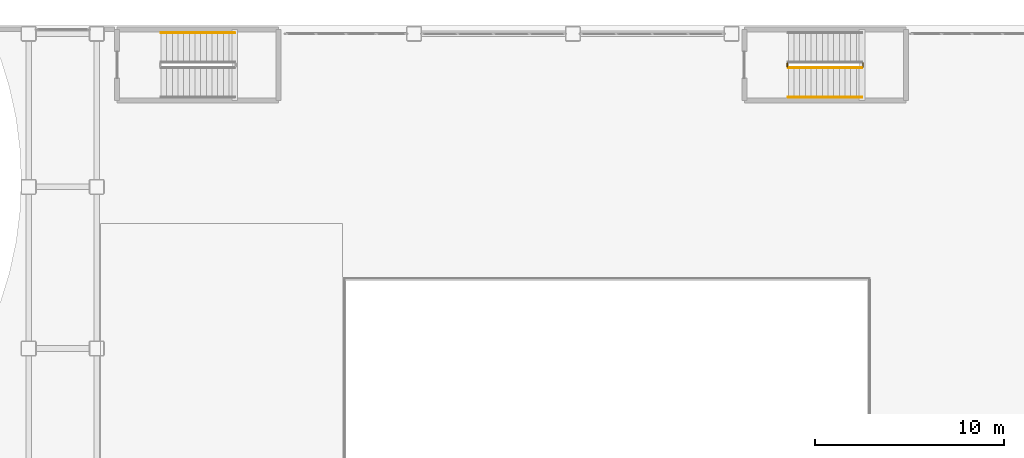
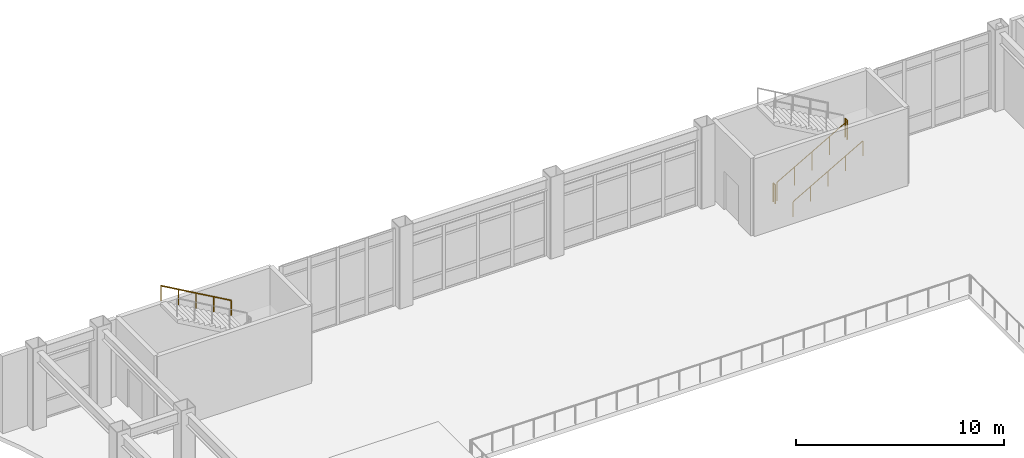
# One storey, part 147 of 154: 5 railings.
"""IFC4 building model written with IfcOpenShell, lengths in metres."""

import ifcopenshell
import ifcopenshell.guid

model = None  # the IFC model being written
_history = None  # IfcOwnerHistory: only IFC2X3 demands one
_inside = {}  # id of a spatial element -> (the spatial element, [elements in it])
_under = {}  # id of a project, library or spatial element -> (it, [spatial elements below it])
_declared = {}  # id of a project -> (the project, [libraries it declares])
_typed = {}  # id of a type object -> (the type object, [elements of that type])
_made_of = {}  # id of a material, layer set ... -> (it, [elements and type objects made of it])


def new_model(schema):
    """Start an empty IFC model of exactly this schema.

    Asked for "IFC4X3", IfcOpenShell would pick the latest addendum, in which some entities
    have other attributes; the version numbers below select the first issue.
    IFC2X3 requires an IfcOwnerHistory on every rooted entity: one is made here for all.
    """
    global model, _history
    if schema == "IFC4X3":
        model = ifcopenshell.file(schema_version=(4, 3, 0, 0))
    else:
        model = ifcopenshell.file(schema=schema)
    _inside.clear()
    _under.clear()
    _declared.clear()
    _typed.clear()
    _made_of.clear()
    _history = None
    if model.schema == "IFC2X3":
        org = make("IfcOrganization", Name="unknown")
        user = make(
            "IfcPersonAndOrganization",
            ThePerson=make("IfcPerson", FamilyName="unknown"),
            TheOrganization=org,
        )
        app = make(
            "IfcApplication",
            ApplicationDeveloper=org,
            Version="unknown",
            ApplicationFullName="unknown",
            ApplicationIdentifier="unknown",
        )
        _history = make(
            "IfcOwnerHistory",
            OwningUser=user,
            OwningApplication=app,
            ChangeAction="ADDED",
            CreationDate=0,
        )
    return model


def make(cls, **values):
    """One entity of the class cls with the attributes given. An attribute that is None is left unset."""
    return model.create_entity(
        cls, **{name: value for name, value in values.items() if value is not None}
    )


def rooted(cls, **values):
    """An entity with a GlobalId (a new one), such as an element, a storey or a relation."""
    return make(cls, GlobalId=ifcopenshell.guid.new(), OwnerHistory=_history, **values)


def si_unit(unit_type, name, prefix=None):
    """IfcSIUnit, for example si_unit("LENGTHUNIT", "METRE", prefix="MILLI")."""
    return make("IfcSIUnit", UnitType=unit_type, Prefix=prefix, Name=name)


def assignment(units):
    """IfcUnitAssignment: the units of a project."""
    return None if units is None else make("IfcUnitAssignment", Units=units)


def point(xyz):
    """IfcCartesianPoint."""
    return None if xyz is None else make("IfcCartesianPoint", Coordinates=xyz)


def direction(xyz):
    """IfcDirection."""
    return None if xyz is None else make("IfcDirection", DirectionRatios=xyz)


def frame(location, z_axis=None, x_axis=None):
    """IfcAxis2Placement3D, a coordinate frame: its origin and axes. An axis left out is left unset."""
    return make(
        "IfcAxis2Placement3D",
        Location=point(location),
        Axis=direction(z_axis),
        RefDirection=direction(x_axis),
    )


def frame_2d(location, x_axis=None):
    """IfcAxis2Placement2D, a coordinate frame in the plane: its origin and x axis."""
    return make(
        "IfcAxis2Placement2D", Location=point(location), RefDirection=direction(x_axis)
    )


def origin():
    """The frame at (0, 0, 0) with its axes left unset."""
    return frame((0.0, 0.0, 0.0))


def origin_2d():
    """The frame at (0, 0) in the plane with its x axis left unset."""
    return frame_2d((0.0, 0.0))


def place(relative_to, where):
    """IfcLocalPlacement: puts the frame where relative to a parent placement (None: the world)."""
    return make(
        "IfcLocalPlacement", PlacementRelTo=relative_to, RelativePlacement=where
    )


def context(
    kind, dimensions, precision=None, world=None, true_north=None, identifier=None
):
    """IfcGeometricRepresentationContext, for example the 3D "Model" context."""
    return make(
        "IfcGeometricRepresentationContext",
        ContextIdentifier=identifier,
        ContextType=kind,
        CoordinateSpaceDimension=dimensions,
        Precision=precision,
        WorldCoordinateSystem=world,
        TrueNorth=true_north,
    )


def subcontext(parent, identifier, kind, view, scale=None):
    """IfcGeometricRepresentationSubContext, for example "Body" below "Model"."""
    return make(
        "IfcGeometricRepresentationSubContext",
        ContextIdentifier=identifier,
        ContextType=kind,
        ParentContext=parent,
        TargetScale=scale,
        TargetView=view,
    )


def project(units=None, contexts=None):
    """IfcProject with its units and contexts."""
    return rooted(
        "IfcProject",
        Name="project",
        RepresentationContexts=contexts,
        UnitsInContext=assignment(units),
    )


def spatial(cls, under=None, at=None, **own):
    """A site, building, storey or space (cls), placed at a placement, below another one or the project."""
    s = rooted(cls, ObjectPlacement=at, **own)
    if under is not None:
        _under.setdefault(under.id(), (under, []))[1].append(s)
    return s


def profile(cls, at=None, kind="AREA", **sizes):
    """A parametric profile (cls). Its sizes go by their IFC names, for example OverallWidth=200.0."""
    return make(cls, ProfileType=kind, Position=at, **sizes)


def circle(**sizes):
    """IfcCircleProfileDef."""
    return profile("IfcCircleProfileDef", **sizes)


def extrude(swept, where, along, depth):
    """IfcExtrudedAreaSolid: the profile swept, set in the frame where, extruded along a direction by depth."""
    return make(
        "IfcExtrudedAreaSolid",
        SweptArea=swept,
        Position=where,
        ExtrudedDirection=direction(along),
        Depth=depth,
    )


def shape(context_of_items, identifier, shape_type, items):
    """IfcShapeRepresentation: the items that make up one representation, for example the "Body"."""
    return make(
        "IfcShapeRepresentation",
        ContextOfItems=context_of_items,
        RepresentationIdentifier=identifier,
        RepresentationType=shape_type,
        Items=items,
    )


def material(Name=None, Category=None):
    """IfcMaterial."""
    return make("IfcMaterial", Name=Name, Category=Category)


def made_of(thing, what):
    """Note that an element or type object is made of a material, layer set ...; save() writes the relation."""
    if what is not None:
        _made_of.setdefault(what.id(), (what, []))[1].append(thing)
    return thing


def type_object(cls, material=None, **own):
    """A type object (cls), such as IfcWallType, which elements share."""
    return made_of(rooted(cls, **own), material)


def element(
    cls,
    number,
    at=None,
    inside=None,
    cuts=None,
    type_object=None,
    material=None,
    context=None,
    identifier="Body",
    shape_type=None,
    held_by="IfcProductDefinitionShape",
    body=None,
    shapes=None,
    **own,
):
    """One element of the class cls, such as IfcWall. Its Tag is "e" and its number.

    at: its placement. inside: the storey or other place that contains it. cuts: it is an
    opening in that element (IfcRelVoidsElement). A single representation is given by context,
    identifier, shape_type and body (its items); several are given by shapes. held_by: the class
    of the entity that holds the representations. save() writes the other relations.
    """
    e = rooted(cls, Tag="e%d" % number, ObjectPlacement=at, **own)
    if body is not None:
        shapes = [shape(context, identifier, shape_type, body)]
    if shapes is not None:
        e.Representation = make(held_by, Representations=shapes)
    if inside is not None:
        _inside.setdefault(inside.id(), (inside, []))[1].append(e)
    if cuts is not None:
        rooted(
            "IfcRelVoidsElement", RelatingBuildingElement=cuts, RelatedOpeningElement=e
        )
    if type_object is not None:
        _typed.setdefault(type_object.id(), (type_object, []))[1].append(e)
    return made_of(e, material)


def aggregate(whole, parts):
    """IfcRelAggregates: a whole, such as a stair, and the parts it consists of."""
    return rooted("IfcRelAggregates", RelatingObject=whole, RelatedObjects=parts)


def save(model, path):
    """Write the relations noted so far, then the file.

    IfcRelAggregates (storeys below a building ...), IfcRelContainedInSpatialStructure (elements
    in a storey), IfcRelDefinesByType, IfcRelAssociatesMaterial and IfcRelDeclares: one each for
    every whole, place, type object, material and project.
    """
    for whole, parts in _under.values():
        aggregate(whole, parts)
    for where, things in _inside.values():
        rooted(
            "IfcRelContainedInSpatialStructure",
            RelatedElements=things,
            RelatingStructure=where,
        )
    for kind, things in _typed.values():
        rooted("IfcRelDefinesByType", RelatedObjects=things, RelatingType=kind)
    for what, things in _made_of.values():
        rooted("IfcRelAssociatesMaterial", RelatedObjects=things, RelatingMaterial=what)
    for by, libraries in _declared.values():
        rooted("IfcRelDeclares", RelatingContext=by, RelatedDefinitions=libraries)
    model.write(path)


model = new_model("IFC4")

# Units and contexts
model_context = context("Model", 3, precision=1e-05, world=origin(), true_north=direction((0.0, 1.0)))
body_context = subcontext(model_context, "Body", "Model", "MODEL_VIEW")
ifc_project = project(units=[si_unit("LENGTHUNIT", "METRE"), si_unit("AREAUNIT", "SQUARE_METRE"), si_unit("VOLUMEUNIT", "CUBIC_METRE"), si_unit("PLANEANGLEUNIT", "RADIAN"), si_unit("MASSUNIT", "GRAM", prefix="KILO")], contexts=[model_context])

# Site, building, storey
site_placement = place(None, origin())
site = spatial("IfcSite", under=ifc_project, at=site_placement, CompositionType="ELEMENT")
building_placement = place(site_placement, origin())
building = spatial("IfcBuilding", under=site, at=building_placement, Name="Kazehara Bluff Congress Hotel", CompositionType="ELEMENT")
storey_placement = place(building_placement, frame((0.0, 0.0, 10.199951171875)))
storey = spatial("IfcBuildingStorey", under=building, at=storey_placement, Name="L02", CompositionType="ELEMENT", Elevation=10.199951171875)

# Railings
ifc_material_1 = material(Name="Brushed stainless steel", Category="steel")
railing_type_1 = type_object("IfcRailingType", Name="TP-GRD-INT", PredefinedType="GUARDRAIL", material=ifc_material_1)
railing_1_placement = place(storey_placement, frame((45.0, 111.75, 0.17138671875)))
element("IfcRailing", 1, at=railing_1_placement, inside=storey, type_object=railing_type_1, Name="L02 ST-02 stair guard 1", PredefinedType="GUARDRAIL", context=body_context, shape_type="SweptSolid", body=[
    extrude(circle(Radius=0.02392578125, at=origin_2d()), frame((0.0, 0.0, 1.076171875), z_axis=(0.868219727965, 0.0, 0.496179910892), x_axis=(0.0, 1.0, 0.0)), (0.0, 0.0, 1.0), 4.491943359375),
    extrude(circle(Radius=0.02099609375, at=origin_2d()), origin(), (0.0, 0.0, 1.0), 1.052001953125),
    extrude(circle(Radius=0.02099609375, at=origin_2d()), frame((0.97509765625, 0.0, 0.55712890625)), (0.0, 0.0, 1.0), 1.052001953125),
    extrude(circle(Radius=0.02099609375, at=origin_2d()), frame((1.949951171875, 0.0, 1.1142578125)), (0.0, 0.0, 1.0), 1.052001953125),
    extrude(circle(Radius=0.02099609375, at=origin_2d()), frame((2.9248046875, 0.0, 1.671630859375)), (0.0, 0.0, 1.0), 1.052001953125),
    extrude(circle(Radius=0.02099609375, at=origin_2d()), frame((3.89990234375, 0.0, 2.228759765625)), (0.0, 0.0, 1.0), 1.052001953125),
])
for number, where, name in (
    (2, (48.949951171875, 111.800048828125, 2.400146484375), "L02 ST-02 stair guard 2"),
    (3, (44.949951171875, 111.800048828125, 0.0), "L02 ST-02 stair guard 4"),
):
    element("IfcRailing", number, at=place(storey_placement, frame(where)), inside=storey, type_object=railing_type_1, Name=name, PredefinedType="GUARDRAIL", context=body_context, shape_type="SweptSolid", body=[
        extrude(circle(Radius=0.02392578125, at=origin_2d()), frame((0.0, 0.0, 1.076171875), z_axis=(0.0, 1.0, 0.0), x_axis=(-1.0, 0.0, 0.0)), (0.0, 0.0, 1.0), 0.199951171875),
        extrude(circle(Radius=0.02099609375, at=origin_2d()), origin(), (0.0, 0.0, 1.0), 1.052001953125),
        extrude(circle(Radius=0.02099609375, at=origin_2d()), frame((0.0, 0.199951171875, 0.0)), (0.0, 0.0, 1.0), 1.052001953125),
    ])
ifc_material_2 = material(Name="Brushed stainless steel", Category="steel")
railing_type_2 = type_object("IfcRailingType", Name="TP-HR-INT", PredefinedType="HANDRAIL", material=ifc_material_2)
railing_2_placement = place(storey_placement, frame((15.699951171875, 113.60009765625, 2.571533203125)))
element("IfcRailing", 4, at=railing_2_placement, inside=storey, type_object=railing_type_2, Name="L02 ST-01 stair handrail 2", PredefinedType="HANDRAIL", context=body_context, shape_type="SweptSolid", body=[
    extrude(circle(Radius=0.02392578125, at=origin_2d()), frame((0.0, 0.0, 0.8759765625), z_axis=(-0.868243142124, 0.0, 0.496138938357), x_axis=(0.0, -1.0, 0.0)), (0.0, 0.0, 1.0), 4.49169921875),
    extrude(circle(Radius=0.02099609375, at=origin_2d()), origin(), (0.0, 0.0, 1.0), 0.851806640625),
    extrude(circle(Radius=0.02099609375, at=origin_2d()), frame((-0.97509765625, 0.0, 0.55712890625)), (0.0, 0.0, 1.0), 0.851806640625),
    extrude(circle(Radius=0.02099609375, at=origin_2d()), frame((-1.949951171875, 0.0, 1.1142578125)), (0.0, 0.0, 1.0), 0.851806640625),
    extrude(circle(Radius=0.02099609375, at=origin_2d()), frame((-2.9248046875, 0.0, 1.67138671875)), (0.0, 0.0, 1.0), 0.851806640625),
    extrude(circle(Radius=0.02099609375, at=origin_2d()), frame((-3.89990234375, 0.0, 2.228515625)), (0.0, 0.0, 1.0), 0.851806640625),
])
railing_3_placement = place(storey_placement, frame((45.0, 110.199951171875, 0.17138671875)))
element("IfcRailing", 5, at=railing_3_placement, inside=storey, type_object=railing_type_2, Name="L02 ST-02 stair handrail 1", PredefinedType="HANDRAIL", context=body_context, shape_type="SweptSolid", body=[
    extrude(circle(Radius=0.02392578125, at=origin_2d()), frame((0.0, 0.0, 0.8759765625), z_axis=(0.868219727965, 0.0, 0.496179910892), x_axis=(0.0, 1.0, 0.0)), (0.0, 0.0, 1.0), 4.491943359375),
    extrude(circle(Radius=0.02099609375, at=origin_2d()), origin(), (0.0, 0.0, 1.0), 0.851806640625),
    extrude(circle(Radius=0.02099609375, at=origin_2d()), frame((0.97509765625, 0.0, 0.55712890625)), (0.0, 0.0, 1.0), 0.851806640625),
    extrude(circle(Radius=0.02099609375, at=origin_2d()), frame((1.949951171875, 0.0, 1.1142578125)), (0.0, 0.0, 1.0), 0.851806640625),
    extrude(circle(Radius=0.02099609375, at=origin_2d()), frame((2.9248046875, 0.0, 1.671630859375)), (0.0, 0.0, 1.0), 0.851806640625),
    extrude(circle(Radius=0.02099609375, at=origin_2d()), frame((3.89990234375, 0.0, 2.228759765625)), (0.0, 0.0, 1.0), 0.851806640625),
])

save(model, "model.ifc")
